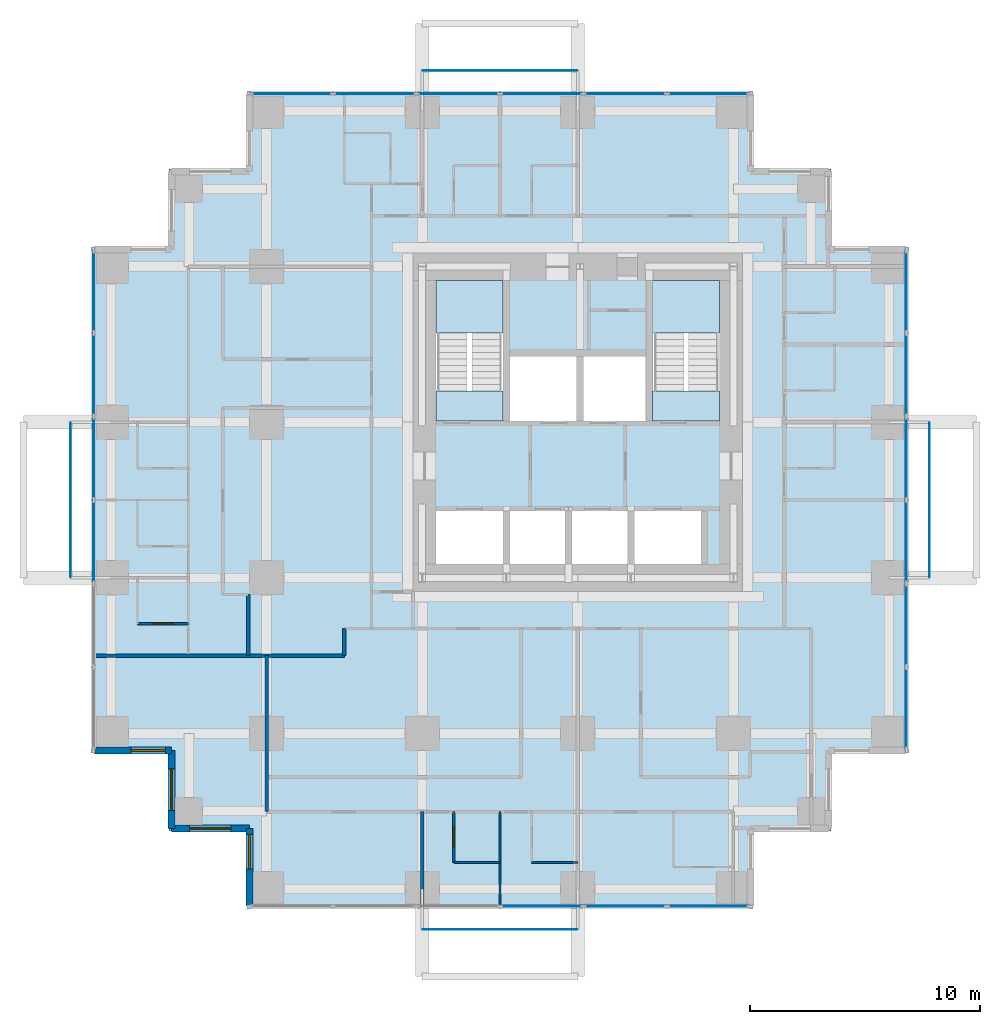
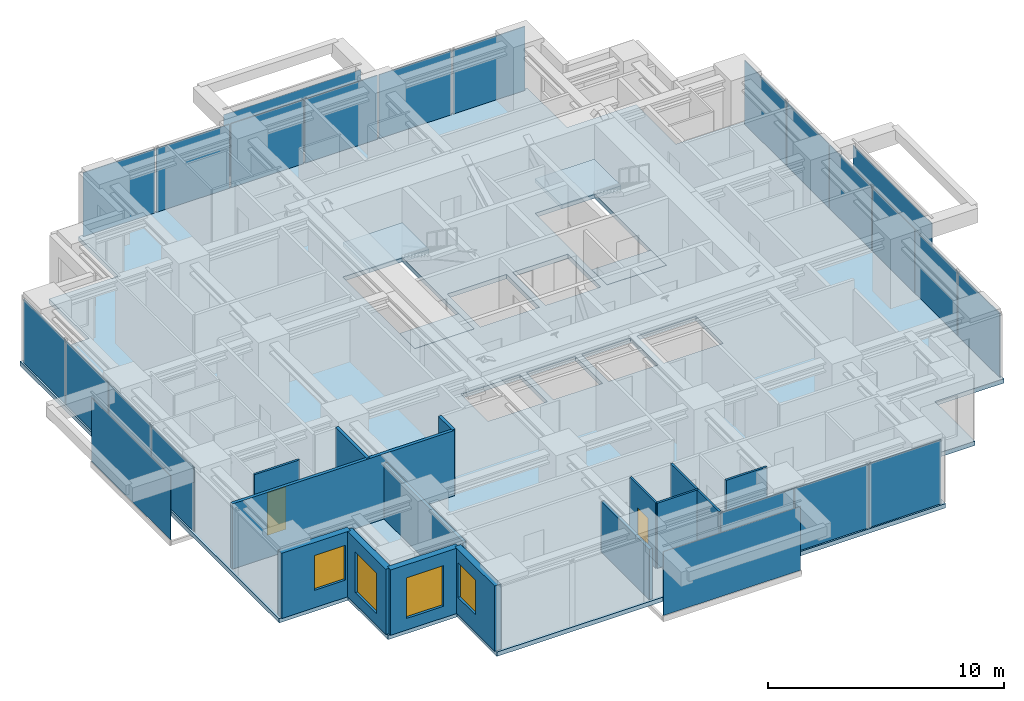
# One storey, part 5 of 10: 23 plates, 14 walls, 5 slabs, 4 windows, 2 doors, 6 openings, 6 elements without a shape of their own.
"""IFC4 building model written with IfcOpenShell, lengths in metres."""

from ifc_helpers import new_model, si_unit, direction, frame, frame_2d, origin, origin_2d, place, context, subcontext, project, spatial, polyline, rectangle, outline, extrude, material, layer, layer_set, type_object, element, fill, aggregate, save


model = new_model("IFC4")

# Units and contexts
model_context = context("Model", 3, precision=1e-05, world=origin(), true_north=direction((0.0, 1.0)))
body_context = subcontext(model_context, "Body", "Model", "MODEL_VIEW")
ifc_project = project(units=[si_unit("LENGTHUNIT", "METRE"), si_unit("AREAUNIT", "SQUARE_METRE"), si_unit("VOLUMEUNIT", "CUBIC_METRE"), si_unit("PLANEANGLEUNIT", "RADIAN"), si_unit("MASSUNIT", "GRAM", prefix="KILO")], contexts=[model_context])

# Site, building, storey
site_placement = place(None, origin())
site = spatial("IfcSite", under=ifc_project, at=site_placement, CompositionType="ELEMENT")
building_placement = place(site_placement, origin())
building = spatial("IfcBuilding", under=site, at=building_placement, Name="Nyansa Garden Tower", CompositionType="ELEMENT")
storey_placement = place(building_placement, frame((0.0, 0.0, 167.39990234375)))
storey = spatial("IfcBuildingStorey", under=building, at=storey_placement, Name="L45", CompositionType="ELEMENT", Elevation=167.39990234375)

# Curtain wall, plates
ifc_material_1 = material(Name="Black anodised aluminium, dark tinted double glazing", Category="aluminium")
curtain_wall_type = type_object("IfcCurtainWallType", Name="Inner skin curtain wall ISW-C", PredefinedType="USERDEFINED", material=ifc_material_1)
curtain_wall_1_placement = place(storey_placement, origin())
curtain_wall_1 = element("IfcCurtainWall", 1, at=curtain_wall_1_placement, inside=storey, type_object=curtain_wall_type, Name="Inner skin curtain wall L45 E", ObjectType="UNITISED CURTAIN WALL", PredefinedType="USERDEFINED")
ifc_material_2 = material(Name="Dark tinted laminated double glazing", Category="glass")
ifc_layer_1 = layer(ifc_material_2, 0.0400390625)
ifc_layer_set_1 = layer_set([ifc_layer_1], Name="Dark tinted vision panel VP-C")
plate_type_1 = type_object("IfcPlateType", Name="Dark tinted vision panel VP-C", PredefinedType="CURTAIN_PANEL", material=ifc_layer_set_1)
plate_1_placement = place(storey_placement, frame((34.5, 7.830078125, 0.0), z_axis=(0.0, 0.0, 1.0), x_axis=(0.0, 1.0, 0.0)))
plate_1 = element("IfcPlate", 2, at=plate_1_placement, type_object=plate_type_1, Name="ISW-C panel 1", PredefinedType="CURTAIN_PANEL", context=body_context, shape_type="SweptSolid", body=[
    extrude(rectangle(XDim=3.52001953125, YDim=0.0400390625, at=origin_2d()), origin(), (0.0, 0.0, 1.0), 3.304931640625),
])
plate_2_placement = place(storey_placement, frame((34.5, 11.4375, 0.0), z_axis=(0.0, 0.0, 1.0), x_axis=(0.0, 1.0, 0.0)))
plate_2 = element("IfcPlate", 3, at=plate_2_placement, type_object=plate_type_1, Name="ISW-C panel 2", PredefinedType="CURTAIN_PANEL", context=body_context, shape_type="SweptSolid", body=[
    extrude(rectangle(XDim=3.554931640625, YDim=0.0400390625, at=origin_2d()), origin(), (0.0, 0.0, 1.0), 3.304931640625),
])
plate_3_placement = place(storey_placement, frame((34.5, 15.0625, 0.0), z_axis=(0.0, 0.0, 1.0), x_axis=(0.0, 1.0, 0.0)))
plate_3 = element("IfcPlate", 4, at=plate_3_placement, type_object=plate_type_1, Name="ISW-C panel 3", PredefinedType="CURTAIN_PANEL", context=body_context, shape_type="SweptSolid", body=[
    extrude(rectangle(XDim=3.554931640625, YDim=0.0400390625, at=origin_2d()), origin(), (0.0, 0.0, 1.0), 3.304931640625),
])
plate_4_placement = place(storey_placement, frame((34.5, 18.6875, 0.0), z_axis=(0.0, 0.0, 1.0), x_axis=(0.0, 1.0, 0.0)))
plate_4 = element("IfcPlate", 5, at=plate_4_placement, type_object=plate_type_1, Name="ISW-C panel 4", PredefinedType="CURTAIN_PANEL", context=body_context, shape_type="SweptSolid", body=[
    extrude(rectangle(XDim=3.554931640625, YDim=0.0400390625, at=origin_2d()), origin(), (0.0, 0.0, 1.0), 3.304931640625),
])
plate_5_placement = place(storey_placement, frame((34.5, 22.3125, 0.0), z_axis=(0.0, 0.0, 1.0), x_axis=(0.0, 1.0, 0.0)))
plate_5 = element("IfcPlate", 6, at=plate_5_placement, type_object=plate_type_1, Name="ISW-C panel 5", PredefinedType="CURTAIN_PANEL", context=body_context, shape_type="SweptSolid", body=[
    extrude(rectangle(XDim=3.554931640625, YDim=0.0400390625, at=origin_2d()), origin(), (0.0, 0.0, 1.0), 3.304931640625),
])
plate_6_placement = place(storey_placement, frame((34.5, 25.919921875, 0.0), z_axis=(0.0, 0.0, 1.0), x_axis=(0.0, 1.0, 0.0)))
plate_6 = element("IfcPlate", 7, at=plate_6_placement, type_object=plate_type_1, Name="ISW-C panel 6", PredefinedType="CURTAIN_PANEL", context=body_context, shape_type="SweptSolid", body=[
    extrude(rectangle(XDim=3.52001953125, YDim=0.0400390625, at=origin_2d()), origin(), (0.0, 0.0, 1.0), 3.304931640625),
])
aggregate(curtain_wall_1, [plate_1, plate_2, plate_3, plate_4, plate_5, plate_6])

curtain_wall_2_placement = place(storey_placement, origin())
curtain_wall_2 = element("IfcCurtainWall", 8, at=curtain_wall_2_placement, inside=storey, type_object=curtain_wall_type, Name="Inner skin curtain wall L45 N", ObjectType="UNITISED CURTAIN WALL", PredefinedType="USERDEFINED")
plate_7_placement = place(storey_placement, frame((25.919921875, 34.5, 0.0), z_axis=(0.0, 0.0, 1.0), x_axis=(-1.0, 0.0, 0.0)))
plate_7 = element("IfcPlate", 9, at=plate_7_placement, type_object=plate_type_1, Name="ISW-C panel 1", PredefinedType="CURTAIN_PANEL", context=body_context, shape_type="SweptSolid", body=[
    extrude(rectangle(XDim=3.52001953125, YDim=0.0400390625, at=origin_2d()), origin(), (0.0, 0.0, 1.0), 3.304931640625),
])
plate_8_placement = place(storey_placement, frame((22.3125, 34.5, 0.0), z_axis=(0.0, 0.0, 1.0), x_axis=(-1.0, 0.0, 0.0)))
plate_8 = element("IfcPlate", 10, at=plate_8_placement, type_object=plate_type_1, Name="ISW-C panel 2", PredefinedType="CURTAIN_PANEL", context=body_context, shape_type="SweptSolid", body=[
    extrude(rectangle(XDim=3.554931640625, YDim=0.0400390625, at=origin_2d()), origin(), (0.0, 0.0, 1.0), 3.304931640625),
])
plate_9_placement = place(storey_placement, frame((18.6875, 34.5, 0.0), z_axis=(0.0, 0.0, 1.0), x_axis=(-1.0, 0.0, 0.0)))
plate_9 = element("IfcPlate", 11, at=plate_9_placement, type_object=plate_type_1, Name="ISW-C panel 3", PredefinedType="CURTAIN_PANEL", context=body_context, shape_type="SweptSolid", body=[
    extrude(rectangle(XDim=3.554931640625, YDim=0.0400390625, at=origin_2d()), origin(), (0.0, 0.0, 1.0), 3.304931640625),
])
plate_10_placement = place(storey_placement, frame((15.0625, 34.5, 0.0), z_axis=(0.0, 0.0, 1.0), x_axis=(-1.0, 0.0, 0.0)))
plate_10 = element("IfcPlate", 12, at=plate_10_placement, type_object=plate_type_1, Name="ISW-C panel 4", PredefinedType="CURTAIN_PANEL", context=body_context, shape_type="SweptSolid", body=[
    extrude(rectangle(XDim=3.554931640625, YDim=0.0400390625, at=origin_2d()), origin(), (0.0, 0.0, 1.0), 3.304931640625),
])
plate_11_placement = place(storey_placement, frame((11.4375, 34.5, 0.0), z_axis=(0.0, 0.0, 1.0), x_axis=(-1.0, 0.0, 0.0)))
plate_11 = element("IfcPlate", 13, at=plate_11_placement, type_object=plate_type_1, Name="ISW-C panel 5", PredefinedType="CURTAIN_PANEL", context=body_context, shape_type="SweptSolid", body=[
    extrude(rectangle(XDim=3.554931640625, YDim=0.0400390625, at=origin_2d()), origin(), (0.0, 0.0, 1.0), 3.304931640625),
])
plate_12_placement = place(storey_placement, frame((7.830078125, 34.5, 0.0), z_axis=(0.0, 0.0, 1.0), x_axis=(-1.0, 0.0, 0.0)))
plate_12 = element("IfcPlate", 14, at=plate_12_placement, type_object=plate_type_1, Name="ISW-C panel 6", PredefinedType="CURTAIN_PANEL", context=body_context, shape_type="SweptSolid", body=[
    extrude(rectangle(XDim=3.52001953125, YDim=0.0400390625, at=origin_2d()), origin(), (0.0, 0.0, 1.0), 3.304931640625),
])
aggregate(curtain_wall_2, [plate_7, plate_8, plate_9, plate_10, plate_11, plate_12])

curtain_wall_3_placement = place(storey_placement, origin())
curtain_wall_3 = element("IfcCurtainWall", 15, at=curtain_wall_3_placement, inside=storey, type_object=curtain_wall_type, Name="Inner skin curtain wall L45 W", ObjectType="UNITISED CURTAIN WALL", PredefinedType="USERDEFINED")
plate_13_placement = place(storey_placement, frame((-0.75, 25.919921875, 0.0), z_axis=(0.0, 0.0, 1.0), x_axis=(0.0, -1.0, 0.0)))
plate_13 = element("IfcPlate", 16, at=plate_13_placement, type_object=plate_type_1, Name="ISW-C panel 1", PredefinedType="CURTAIN_PANEL", context=body_context, shape_type="SweptSolid", body=[
    extrude(rectangle(XDim=3.52001953125, YDim=0.0400390625, at=origin_2d()), origin(), (0.0, 0.0, 1.0), 3.304931640625),
])
plate_14_placement = place(storey_placement, frame((-0.75, 22.3125, 0.0), z_axis=(0.0, 0.0, 1.0), x_axis=(0.0, -1.0, 0.0)))
plate_14 = element("IfcPlate", 17, at=plate_14_placement, type_object=plate_type_1, Name="ISW-C panel 2", PredefinedType="CURTAIN_PANEL", context=body_context, shape_type="SweptSolid", body=[
    extrude(rectangle(XDim=3.554931640625, YDim=0.0400390625, at=origin_2d()), origin(), (0.0, 0.0, 1.0), 3.304931640625),
])
plate_15_placement = place(storey_placement, frame((-0.75, 18.6875, 0.0), z_axis=(0.0, 0.0, 1.0), x_axis=(0.0, -1.0, 0.0)))
plate_15 = element("IfcPlate", 18, at=plate_15_placement, type_object=plate_type_1, Name="ISW-C panel 3", PredefinedType="CURTAIN_PANEL", context=body_context, shape_type="SweptSolid", body=[
    extrude(rectangle(XDim=3.554931640625, YDim=0.0400390625, at=origin_2d()), origin(), (0.0, 0.0, 1.0), 3.304931640625),
])
plate_16_placement = place(storey_placement, frame((-0.75, 15.0625, 0.0), z_axis=(0.0, 0.0, 1.0), x_axis=(0.0, -1.0, 0.0)))
plate_16 = element("IfcPlate", 19, at=plate_16_placement, type_object=plate_type_1, Name="ISW-C panel 4", PredefinedType="CURTAIN_PANEL", context=body_context, shape_type="SweptSolid", body=[
    extrude(rectangle(XDim=3.554931640625, YDim=0.0400390625, at=origin_2d()), origin(), (0.0, 0.0, 1.0), 3.304931640625),
])
aggregate(curtain_wall_3, [plate_13, plate_14, plate_15, plate_16])

curtain_wall_4_placement = place(storey_placement, origin())
curtain_wall_4 = element("IfcCurtainWall", 20, at=curtain_wall_4_placement, inside=storey, type_object=curtain_wall_type, Name="Inner skin curtain wall L45 S", ObjectType="UNITISED CURTAIN WALL", PredefinedType="USERDEFINED")
plate_17_placement = place(storey_placement, frame((18.6875, -0.75, 0.0), z_axis=(0.0, 0.0, 1.0), x_axis=(1.0, 0.0, 0.0)))
plate_17 = element("IfcPlate", 21, at=plate_17_placement, type_object=plate_type_1, Name="ISW-C panel 4", PredefinedType="CURTAIN_PANEL", context=body_context, shape_type="SweptSolid", body=[
    extrude(rectangle(XDim=3.554931640625, YDim=0.0400390625, at=origin_2d()), origin(), (0.0, 0.0, 1.0), 3.304931640625),
])
plate_18_placement = place(storey_placement, frame((22.3125, -0.75, 0.0), z_axis=(0.0, 0.0, 1.0), x_axis=(1.0, 0.0, 0.0)))
plate_18 = element("IfcPlate", 22, at=plate_18_placement, type_object=plate_type_1, Name="ISW-C panel 5", PredefinedType="CURTAIN_PANEL", context=body_context, shape_type="SweptSolid", body=[
    extrude(rectangle(XDim=3.554931640625, YDim=0.0400390625, at=origin_2d()), origin(), (0.0, 0.0, 1.0), 3.304931640625),
])
plate_19_placement = place(storey_placement, frame((25.919921875, -0.75, 0.0), z_axis=(0.0, 0.0, 1.0), x_axis=(1.0, 0.0, 0.0)))
plate_19 = element("IfcPlate", 23, at=plate_19_placement, type_object=plate_type_1, Name="ISW-C panel 6", PredefinedType="CURTAIN_PANEL", context=body_context, shape_type="SweptSolid", body=[
    extrude(rectangle(XDim=3.52001953125, YDim=0.0400390625, at=origin_2d()), origin(), (0.0, 0.0, 1.0), 3.304931640625),
])
aggregate(curtain_wall_4, [plate_17, plate_18, plate_19])

# Slab
ifc_material_3 = material(Name="Concrete C40/50", Category="concrete")
ifc_layer_2 = layer(ifc_material_3, 0.22509765625)
ifc_layer_set_2 = layer_set([ifc_layer_2], Name="Floor slab FS225")
slab_type_1 = type_object("IfcSlabType", Name="Floor slab FS225", PredefinedType="FLOOR", material=ifc_layer_set_2)
slab_1_placement = place(storey_placement, frame((0.0, 0.0, -0.224853515625)))
element("IfcSlab", 24, at=slab_1_placement, inside=storey, type_object=slab_type_1, Name="Floor slab L45", PredefinedType="FLOOR", context=body_context, shape_type="SweptSolid", body=[
    extrude(outline(polyline([(34.60009765625, 5.89990234375), (31.22509765625, 5.89990234375), (31.22509765625, 2.52490234375), (27.85009765625, 2.52490234375), (27.85009765625, -0.85009765625), (5.89990234375, -0.85009765625), (5.89990234375, 2.52490234375), (2.52490234375, 2.52490234375), (2.52490234375, 5.89990234375), (-0.85009765625, 5.89990234375), (-0.85009765625, 27.85009765625), (2.52490234375, 27.85009765625), (2.52490234375, 31.22509765625), (5.89990234375, 31.22509765625), (5.89990234375, 34.60009765625), (27.85009765625, 34.60009765625), (27.85009765625, 31.22509765625), (31.22509765625, 31.22509765625), (31.22509765625, 27.85009765625), (34.60009765625, 27.85009765625), (34.60009765625, 5.89990234375)]), holes=[polyline([(14.10009765625, 14.10009765625), (17.0, 14.10009765625), (17.0, 16.39990234375), (14.10009765625, 16.39990234375), (14.10009765625, 14.10009765625)]), polyline([(17.300048828125, 14.10009765625), (19.699951171875, 14.10009765625), (19.699951171875, 16.39990234375), (17.300048828125, 16.39990234375), (17.300048828125, 14.10009765625)]), polyline([(20.0, 14.10009765625), (22.39990234375, 14.10009765625), (22.39990234375, 16.39990234375), (20.0, 16.39990234375), (20.0, 14.10009765625)]), polyline([(22.699951171875, 14.10009765625), (25.60009765625, 14.10009765625), (25.60009765625, 16.39990234375), (22.699951171875, 16.39990234375), (22.699951171875, 14.10009765625)]), polyline([(17.300048828125, 20.300048828125), (20.199951171875, 20.300048828125), (20.199951171875, 23.10009765625), (17.300048828125, 23.10009765625), (17.300048828125, 20.300048828125)]), polyline([(20.5, 20.300048828125), (23.199951171875, 20.300048828125), (23.199951171875, 23.10009765625), (20.5, 23.10009765625), (20.5, 20.300048828125)]), polyline([(14.10009765625, 20.300048828125), (17.0, 20.300048828125), (17.0, 26.39990234375), (14.10009765625, 26.39990234375), (14.10009765625, 20.300048828125)]), polyline([(23.5, 20.300048828125), (26.39990234375, 20.300048828125), (26.39990234375, 26.39990234375), (23.5, 26.39990234375), (23.5, 20.300048828125)])]), origin(), (0.0, 0.0, 1.0), 0.224853515625),
])

# Plates
ifc_material_4 = material(Name="Dark tinted laminated glass", Category="glass")
ifc_layer_3 = layer(ifc_material_4, 0.02392578125)
ifc_layer_set_3 = layer_set([ifc_layer_3], Name="Outer skin glass panel OS1")
plate_type_2 = type_object("IfcPlateType", Name="Outer skin glass panel OS1", PredefinedType="USERDEFINED", material=ifc_layer_set_3)
for number, where, z_axis, x_axis, name in (
    (25, (35.5, 16.875, -0.22509765625), (0.0, 0.0, 1.0), (0.0, 1.0, 0.0), "Outer skin glass panel L45"),
    (26, (16.875, 35.5, -0.22509765625), (0.0, 0.0, 1.0), (1.0, 0.0, 0.0), "Outer skin glass panel L45"),
    (27, (-1.75, 16.875, -0.22509765625), (0.0, 0.0, 1.0), (0.0, 1.0, 0.0), "Outer skin glass panel L45"),
    (28, (16.875, -1.75, -0.22509765625), (0.0, 0.0, 1.0), (1.0, 0.0, 0.0), "Outer skin glass panel L45"),
):
    element("IfcPlate", number, at=place(storey_placement, frame(where, z_axis=z_axis, x_axis=x_axis)), inside=storey, type_object=plate_type_2, Name=name, ObjectType="OUTER SKIN GLASS", PredefinedType="USERDEFINED", context=body_context, shape_type="SweptSolid", body=[
        extrude(rectangle(XDim=6.7099609375, YDim=0.02392578125, at=origin_2d()), origin(), (0.0, 0.0, 1.0), 3.300048828125),
    ])

# Stair, slabs
ifc_material_5 = material(Name="Precast concrete C40/50", Category="concrete")
stair_type_1 = type_object("IfcStairType", Name="Stair S1 180x280", PredefinedType="HALF_TURN_STAIR", material=ifc_material_5)
stair_1_placement = place(storey_placement, origin())
stair_1 = element("IfcStair", 29, at=stair_1_placement, inside=storey, type_object=stair_type_1, Name="Stair S1 L45", PredefinedType="HALF_TURN_STAIR")
ifc_material_6 = material(Name="Concrete C40/50", Category="concrete")
ifc_layer_4 = layer(ifc_material_6, 0.199951171875)
ifc_layer_set_4 = layer_set([ifc_layer_4], Name="Stair landing SL200")
slab_type_2 = type_object("IfcSlabType", Name="Stair landing SL200", PredefinedType="LANDING", material=ifc_layer_set_4)
slab_2_placement = place(storey_placement, frame((0.0, 0.0, -0.199951171875)))
slab_2 = element("IfcSlab", 30, at=slab_2_placement, type_object=slab_type_2, Name="S1 landing 1", PredefinedType="LANDING", context=body_context, shape_type="SweptSolid", body=[
    extrude(outline(polyline([(14.10009765625, 20.300048828125), (17.0, 20.300048828125), (17.0, 21.60009765625), (14.10009765625, 21.60009765625), (14.10009765625, 20.300048828125)])), origin(), (0.0, 0.0, 1.0), 0.199951171875),
])
slab_3_placement = place(storey_placement, frame((0.0, 0.0, 1.60009765625)))
slab_3 = element("IfcSlab", 31, at=slab_3_placement, type_object=slab_type_2, Name="S1 landing 2", PredefinedType="LANDING", context=body_context, shape_type="SweptSolid", body=[
    extrude(outline(polyline([(14.10009765625, 24.1201171875), (17.0, 24.1201171875), (17.0, 26.39990234375), (14.10009765625, 26.39990234375), (14.10009765625, 24.1201171875)])), origin(), (0.0, 0.0, 1.0), 0.199951171875),
])
aggregate(stair_1, [slab_2, slab_3])

ifc_material_7 = material(Name="Precast concrete C40/50", Category="concrete")
stair_type_2 = type_object("IfcStairType", Name="Stair S2 180x280", PredefinedType="HALF_TURN_STAIR", material=ifc_material_7)
stair_2_placement = place(storey_placement, origin())
stair_2 = element("IfcStair", 32, at=stair_2_placement, inside=storey, type_object=stair_type_2, Name="Stair S2 L45", PredefinedType="HALF_TURN_STAIR")
slab_4_placement = place(storey_placement, frame((0.0, 0.0, -0.199951171875)))
slab_4 = element("IfcSlab", 33, at=slab_4_placement, type_object=slab_type_2, Name="S2 landing 1", PredefinedType="LANDING", context=body_context, shape_type="SweptSolid", body=[
    extrude(outline(polyline([(23.5, 20.300048828125), (26.39990234375, 20.300048828125), (26.39990234375, 21.60009765625), (23.5, 21.60009765625), (23.5, 20.300048828125)])), origin(), (0.0, 0.0, 1.0), 0.199951171875),
])
slab_5_placement = place(storey_placement, frame((0.0, 0.0, 1.60009765625)))
slab_5 = element("IfcSlab", 34, at=slab_5_placement, type_object=slab_type_2, Name="S2 landing 2", PredefinedType="LANDING", context=body_context, shape_type="SweptSolid", body=[
    extrude(outline(polyline([(23.5, 24.1201171875), (26.39990234375, 24.1201171875), (26.39990234375, 26.39990234375), (23.5, 26.39990234375), (23.5, 24.1201171875)])), origin(), (0.0, 0.0, 1.0), 0.199951171875),
])
aggregate(stair_2, [slab_4, slab_5])

# Walls
ifc_material_8 = material(Name="Blockwork, plastered both sides", Category="masonry")
ifc_layer_5 = layer(ifc_material_8, 0.14990234375)
ifc_layer_set_5 = layer_set([ifc_layer_5], Name="Partition PW150")
wall_type_1 = type_object("IfcWallType", Name="Partition PW150", PredefinedType="PARTITIONING", material=ifc_layer_set_5)
wall_1_placement = place(storey_placement, frame((-0.73388671875, 10.125, 0.0), z_axis=(0.0, 0.0, 1.0), x_axis=(1.0, 0.0, 0.0)))
element("IfcWall", 35, at=wall_1_placement, inside=storey, type_object=wall_type_1, Name="Partition", PredefinedType="PARTITIONING", context=body_context, shape_type="SweptSolid", body=[
    extrude(rectangle(XDim=10.85888671875, YDim=0.14990234375, at=frame_2d((5.429443359375, 0.0))), origin(), (0.0, 0.0, 1.0), 3.375),
])
wall_2_placement = place(storey_placement, frame((5.949951171875, 10.125, 0.0), z_axis=(0.0, 0.0, 1.0), x_axis=(0.0, 1.0, 0.0)))
element("IfcWall", 36, at=wall_2_placement, inside=storey, type_object=wall_type_1, Name="Partition", PredefinedType="PARTITIONING", context=body_context, shape_type="SweptSolid", body=[
    extrude(rectangle(XDim=2.64990234375, YDim=0.14990234375, at=frame_2d((1.324951171875, 0.0))), origin(), (0.0, 0.0, 1.0), 3.375),
])
wall_3_placement = place(storey_placement, frame((6.75, 3.35009765625, 0.0), z_axis=(0.0, 0.0, 1.0), x_axis=(0.0, 1.0, 0.0)))
element("IfcWall", 37, at=wall_3_placement, inside=storey, type_object=wall_type_1, Name="Partition", PredefinedType="PARTITIONING", context=body_context, shape_type="SweptSolid", body=[
    extrude(rectangle(XDim=6.77490234375, YDim=0.14990234375, at=frame_2d((3.387451171875, 0.0))), origin(), (0.0, 0.0, 1.0), 2.877197265625),
])
wall_4_placement = place(storey_placement, frame((10.125, 10.125, 0.0), z_axis=(0.0, 0.0, 1.0), x_axis=(0.0, 1.0, 0.0)))
element("IfcWall", 38, at=wall_4_placement, inside=storey, type_object=wall_type_1, Name="Partition", PredefinedType="PARTITIONING", context=body_context, shape_type="SweptSolid", body=[
    extrude(rectangle(XDim=1.175048828125, YDim=0.14990234375, at=frame_2d((0.58740234375, 0.0))), origin(), (0.0, 0.0, 1.0), 3.375),
])
wall_5_placement = place(storey_placement, frame((13.5, -0.73388671875, 0.0), z_axis=(0.0, 0.0, 1.0), x_axis=(0.0, 1.0, 0.0)))
element("IfcWall", 39, at=wall_5_placement, inside=storey, type_object=wall_type_1, Name="Partition", PredefinedType="PARTITIONING", context=body_context, shape_type="SweptSolid", body=[
    extrude(rectangle(XDim=4.083984375, YDim=0.14990234375, at=frame_2d((2.0419921875, 0.0))), origin(), (0.0, 0.0, 1.0), 2.610107421875),
])

# Wall, opening, window
ifc_material_9 = material(Name="Turquoise glazed tile on concrete blockwork", Category="masonry")
ifc_layer_6 = layer(ifc_material_9, 0.300048828125)
ifc_layer_set_6 = layer_set([ifc_layer_6], Name="Tiled corner wall TW300")
wall_type_2 = type_object("IfcWallType", Name="Tiled corner wall TW300", PredefinedType="SOLIDWALL", material=ifc_layer_set_6)
wall_6_placement = place(storey_placement, frame((-0.75, 6.0, 0.0), z_axis=(0.0, 0.0, 1.0), x_axis=(1.0, 0.0, 0.0)))
wall_6 = element("IfcWall", 40, at=wall_6_placement, inside=storey, type_object=wall_type_2, Name="Tiled corner wall L45", PredefinedType="SOLIDWALL", context=body_context, shape_type="SweptSolid", body=[
    extrude(rectangle(XDim=3.375, YDim=0.300048828125, at=frame_2d((1.6875, 0.0))), origin(), (0.0, 0.0, 1.0), 3.375),
])
opening_1_placement = place(wall_6_placement, frame((1.607421875, 0.0, 0.89990234375)))
opening_1 = element("IfcOpeningElement", 41, at=opening_1_placement, cuts=wall_6, Name="Opening W1", PredefinedType="OPENING", context=body_context, shape_type="SweptSolid", body=[
    extrude(rectangle(XDim=1.5, YDim=1.800048828125, at=frame_2d((0.75, 0.89990234375))), frame((0.0, 0.159912109375, 0.0), z_axis=(0.0, -1.0, 0.0), x_axis=(1.0, 0.0, 0.0)), (0.0, 0.0, 1.0), 0.320068359375),
])
ifc_material_10 = material(Name="Black aluminium frame, dark tinted double glazing", Category="aluminium")
window_type_1 = type_object("IfcWindowType", Name="Window W1 1500x1800", PartitioningType="SINGLE_PANEL", PredefinedType="WINDOW", material=ifc_material_10)
window_1_placement = place(opening_1_placement, origin())
window_1 = element("IfcWindow", 42, at=window_1_placement, inside=storey, type_object=window_type_1, Name="Corner window L45", OverallHeight=1.800048828125, OverallWidth=1.5, PartitioningType="SINGLE_PANEL", PredefinedType="WINDOW", context=body_context, shape_type="SweptSolid", body=[
    extrude(rectangle(XDim=1.5, YDim=1.800048828125, at=frame_2d((0.75, 0.89990234375))), frame((0.0, 0.030029296875, 0.0), z_axis=(0.0, -1.0, 0.0), x_axis=(1.0, 0.0, 0.0)), (0.0, 0.0, 1.0), 0.06005859375),
])
fill(opening_1, window_1)

wall_7_placement = place(storey_placement, frame((2.625, 6.0, 0.0), z_axis=(0.0, 0.0, 1.0), x_axis=(0.0, -1.0, 0.0)))
wall_7 = element("IfcWall", 43, at=wall_7_placement, inside=storey, type_object=wall_type_2, Name="Tiled corner wall L45", PredefinedType="SOLIDWALL", context=body_context, shape_type="SweptSolid", body=[
    extrude(rectangle(XDim=3.375, YDim=0.300048828125, at=frame_2d((1.6875, 0.0))), origin(), (0.0, 0.0, 1.0), 3.375),
])
opening_2_placement = place(wall_7_placement, frame((0.78759765625, 0.0, 0.60009765625)))
opening_2 = element("IfcOpeningElement", 44, at=opening_2_placement, cuts=wall_7, Name="Opening W2", PredefinedType="OPENING", context=body_context, shape_type="SweptSolid", body=[
    extrude(rectangle(XDim=1.800048828125, YDim=2.10009765625, at=frame_2d((0.89990234375, 1.050048828125))), frame((0.0, 0.159912109375, 0.0), z_axis=(0.0, -1.0, 0.0), x_axis=(1.0, 0.0, 0.0)), (0.0, 0.0, 1.0), 0.320068359375),
])
ifc_material_11 = material(Name="Black aluminium frame, dark tinted double glazing", Category="aluminium")
window_type_2 = type_object("IfcWindowType", Name="Window W2 1800x2100", PartitioningType="SINGLE_PANEL", PredefinedType="WINDOW", material=ifc_material_11)
window_2_placement = place(opening_2_placement, origin())
window_2 = element("IfcWindow", 45, at=window_2_placement, inside=storey, type_object=window_type_2, Name="Corner window L45", OverallHeight=2.10009765625, OverallWidth=1.800048828125, PartitioningType="SINGLE_PANEL", PredefinedType="WINDOW", context=body_context, shape_type="SweptSolid", body=[
    extrude(rectangle(XDim=1.800048828125, YDim=2.10009765625, at=frame_2d((0.89990234375, 1.050048828125))), frame((0.0, 0.030029296875, 0.0), z_axis=(0.0, -1.0, 0.0), x_axis=(1.0, 0.0, 0.0)), (0.0, 0.0, 1.0), 0.06005859375),
])
fill(opening_2, window_2)

wall_8_placement = place(storey_placement, frame((2.625, 2.625, 0.0), z_axis=(0.0, 0.0, 1.0), x_axis=(1.0, 0.0, 0.0)))
wall_8 = element("IfcWall", 46, at=wall_8_placement, inside=storey, type_object=wall_type_2, Name="Tiled corner wall L45", PredefinedType="SOLIDWALL", context=body_context, shape_type="SweptSolid", body=[
    extrude(rectangle(XDim=3.375, YDim=0.300048828125, at=frame_2d((1.6875, 0.0))), origin(), (0.0, 0.0, 1.0), 3.375),
])
opening_3_placement = place(wall_8_placement, frame((0.78759765625, 0.0, 0.60009765625)))
opening_3 = element("IfcOpeningElement", 47, at=opening_3_placement, cuts=wall_8, Name="Opening W2", PredefinedType="OPENING", context=body_context, shape_type="SweptSolid", body=[
    extrude(rectangle(XDim=1.800048828125, YDim=2.10009765625, at=frame_2d((0.89990234375, 1.050048828125))), frame((0.0, 0.159912109375, 0.0), z_axis=(0.0, -1.0, 0.0), x_axis=(1.0, 0.0, 0.0)), (0.0, 0.0, 1.0), 0.320068359375),
])
window_3_placement = place(opening_3_placement, origin())
window_3 = element("IfcWindow", 48, at=window_3_placement, inside=storey, type_object=window_type_2, Name="Corner window L45", OverallHeight=2.10009765625, OverallWidth=1.800048828125, PartitioningType="SINGLE_PANEL", PredefinedType="WINDOW", context=body_context, shape_type="SweptSolid", body=[
    extrude(rectangle(XDim=1.800048828125, YDim=2.10009765625, at=frame_2d((0.89990234375, 1.050048828125))), frame((0.0, 0.030029296875, 0.0), z_axis=(0.0, -1.0, 0.0), x_axis=(1.0, 0.0, 0.0)), (0.0, 0.0, 1.0), 0.06005859375),
])
fill(opening_3, window_3)

wall_9_placement = place(storey_placement, frame((6.0, 2.625, 0.0), z_axis=(0.0, 0.0, 1.0), x_axis=(0.0, -1.0, 0.0)))
wall_9 = element("IfcWall", 49, at=wall_9_placement, inside=storey, type_object=wall_type_2, Name="Tiled corner wall L45", PredefinedType="SOLIDWALL", context=body_context, shape_type="SweptSolid", body=[
    extrude(rectangle(XDim=3.375, YDim=0.300048828125, at=frame_2d((1.6875, 0.0))), origin(), (0.0, 0.0, 1.0), 3.375),
])
opening_4_placement = place(wall_9_placement, frame((0.267578125, 0.0, 0.89990234375)))
opening_4 = element("IfcOpeningElement", 50, at=opening_4_placement, cuts=wall_9, Name="Opening W1", PredefinedType="OPENING", context=body_context, shape_type="SweptSolid", body=[
    extrude(rectangle(XDim=1.5, YDim=1.800048828125, at=frame_2d((0.75, 0.89990234375))), frame((0.0, 0.159912109375, 0.0), z_axis=(0.0, -1.0, 0.0), x_axis=(1.0, 0.0, 0.0)), (0.0, 0.0, 1.0), 0.320068359375),
])
window_4_placement = place(opening_4_placement, origin())
window_4 = element("IfcWindow", 51, at=window_4_placement, inside=storey, type_object=window_type_1, Name="Corner window L45", OverallHeight=1.800048828125, OverallWidth=1.5, PartitioningType="SINGLE_PANEL", PredefinedType="WINDOW", context=body_context, shape_type="SweptSolid", body=[
    extrude(rectangle(XDim=1.5, YDim=1.800048828125, at=frame_2d((0.75, 0.89990234375))), frame((0.0, 0.030029296875, 0.0), z_axis=(0.0, -1.0, 0.0), x_axis=(1.0, 0.0, 0.0)), (0.0, 0.0, 1.0), 0.06005859375),
])
fill(opening_4, window_4)

# Wall, opening, door
ifc_material_12 = material(Name="Moisture resistant board on steel studs, tiled", Category="steel")
ifc_layer_7 = layer(ifc_material_12, 0.10009765625)
ifc_layer_set_7 = layer_set([ifc_layer_7], Name="Wet wall PW100")
wall_type_3 = type_object("IfcWallType", Name="Wet wall PW100", PredefinedType="PARTITIONING", material=ifc_layer_set_7)
wall_10_placement = place(storey_placement, frame((1.14990234375, 11.5, 0.0), z_axis=(0.0, 0.0, 1.0), x_axis=(1.0, 0.0, 0.0)))
wall_10 = element("IfcWall", 52, at=wall_10_placement, inside=storey, type_object=wall_type_3, Name="Wet wall", PredefinedType="PARTITIONING", context=body_context, shape_type="SweptSolid", body=[
    extrude(rectangle(XDim=2.2001953125, YDim=0.10009765625, at=frame_2d((1.10009765625, 0.0))), origin(), (0.0, 0.0, 1.0), 3.375),
])
opening_5_placement = place(wall_10_placement, frame((0.64990234375, 0.0, 0.0)))
opening_5 = element("IfcOpeningElement", 53, at=opening_5_placement, cuts=wall_10, Name="Opening D02", PredefinedType="OPENING", context=body_context, shape_type="SweptSolid", body=[
    extrude(rectangle(XDim=0.89990234375, YDim=2.199951171875, at=frame_2d((0.449951171875, 1.10009765625))), frame((0.0, 0.06005859375, 0.0), z_axis=(0.0, -1.0, 0.0), x_axis=(1.0, 0.0, 0.0)), (0.0, 0.0, 1.0), 0.1201171875),
])
ifc_material_13 = material(Name="Timber flush door", Category="wood")
door_type = type_object("IfcDoorType", Name="En-suite door D02 900x2200", OperationType="SINGLE_SWING_RIGHT", PredefinedType="DOOR", material=ifc_material_13)
door_1_placement = place(opening_5_placement, origin())
door_1 = element("IfcDoor", 54, at=door_1_placement, inside=storey, type_object=door_type, Name="Door L45-047", OperationType="SINGLE_SWING_RIGHT", OverallHeight=2.199951171875, OverallWidth=0.89990234375, PredefinedType="DOOR", context=body_context, shape_type="SweptSolid", body=[
    extrude(rectangle(XDim=0.89990234375, YDim=2.199951171875, at=frame_2d((0.449951171875, 1.10009765625))), frame((0.0, 0.02490234375, 0.0), z_axis=(0.0, -1.0, 0.0), x_axis=(1.0, 0.0, 0.0)), (0.0, 0.0, 1.0), 0.050048828125),
])
fill(opening_5, door_1)

wall_11_placement = place(storey_placement, frame((14.875, 1.14990234375, 0.0), z_axis=(0.0, 0.0, 1.0), x_axis=(0.0, 1.0, 0.0)))
wall_11 = element("IfcWall", 55, at=wall_11_placement, inside=storey, type_object=wall_type_3, Name="Wet wall", PredefinedType="PARTITIONING", context=body_context, shape_type="SweptSolid", body=[
    extrude(rectangle(XDim=2.2001953125, YDim=0.10009765625, at=frame_2d((1.10009765625, 0.0))), origin(), (0.0, 0.0, 1.0), 3.375),
])
opening_6_placement = place(wall_11_placement, frame((0.64990234375, 0.0, 0.0)))
opening_6 = element("IfcOpeningElement", 56, at=opening_6_placement, cuts=wall_11, Name="Opening D02", PredefinedType="OPENING", context=body_context, shape_type="SweptSolid", body=[
    extrude(rectangle(XDim=0.89990234375, YDim=2.199951171875, at=frame_2d((0.449951171875, 1.10009765625))), frame((0.0, 0.06005859375, 0.0), z_axis=(0.0, -1.0, 0.0), x_axis=(1.0, 0.0, 0.0)), (0.0, 0.0, 1.0), 0.1201171875),
])
door_2_placement = place(opening_6_placement, origin())
door_2 = element("IfcDoor", 57, at=door_2_placement, inside=storey, type_object=door_type, Name="Door L45-020", OperationType="SINGLE_SWING_RIGHT", OverallHeight=2.199951171875, OverallWidth=0.89990234375, PredefinedType="DOOR", context=body_context, shape_type="SweptSolid", body=[
    extrude(rectangle(XDim=0.89990234375, YDim=2.199951171875, at=frame_2d((0.449951171875, 1.10009765625))), frame((0.0, 0.02490234375, 0.0), z_axis=(0.0, -1.0, 0.0), x_axis=(1.0, 0.0, 0.0)), (0.0, 0.0, 1.0), 0.050048828125),
])
fill(opening_6, door_2)

# Walls
wall_12_placement = place(storey_placement, frame((14.875, 1.14990234375, 0.0), z_axis=(0.0, 0.0, 1.0), x_axis=(1.0, 0.0, 0.0)))
element("IfcWall", 58, at=wall_12_placement, inside=storey, type_object=wall_type_3, Name="Wet wall", PredefinedType="PARTITIONING", context=body_context, shape_type="SweptSolid", body=[
    extrude(rectangle(XDim=2.0, YDim=0.10009765625, at=frame_2d((1.0, 0.0))), origin(), (0.0, 0.0, 1.0), 3.375),
])
wall_13_placement = place(storey_placement, frame((16.875, -0.73388671875, 0.0), z_axis=(0.0, 0.0, 1.0), x_axis=(0.0, 1.0, 0.0)))
element("IfcWall", 59, at=wall_13_placement, inside=storey, type_object=wall_type_3, Name="Wet wall", PredefinedType="PARTITIONING", context=body_context, shape_type="SweptSolid", body=[
    extrude(rectangle(XDim=4.083984375, YDim=0.10009765625, at=frame_2d((2.0419921875, 0.0))), origin(), (0.0, 0.0, 1.0), 3.375),
])
wall_14_placement = place(storey_placement, frame((18.25, 1.14990234375, 0.0), z_axis=(0.0, 0.0, 1.0), x_axis=(1.0, 0.0, 0.0)))
element("IfcWall", 60, at=wall_14_placement, inside=storey, type_object=wall_type_3, Name="Wet wall", PredefinedType="PARTITIONING", context=body_context, shape_type="SweptSolid", body=[
    extrude(rectangle(XDim=2.0, YDim=0.10009765625, at=frame_2d((1.0, 0.0))), origin(), (0.0, 0.0, 1.0), 3.375),
])

save(model, "model.ifc")
